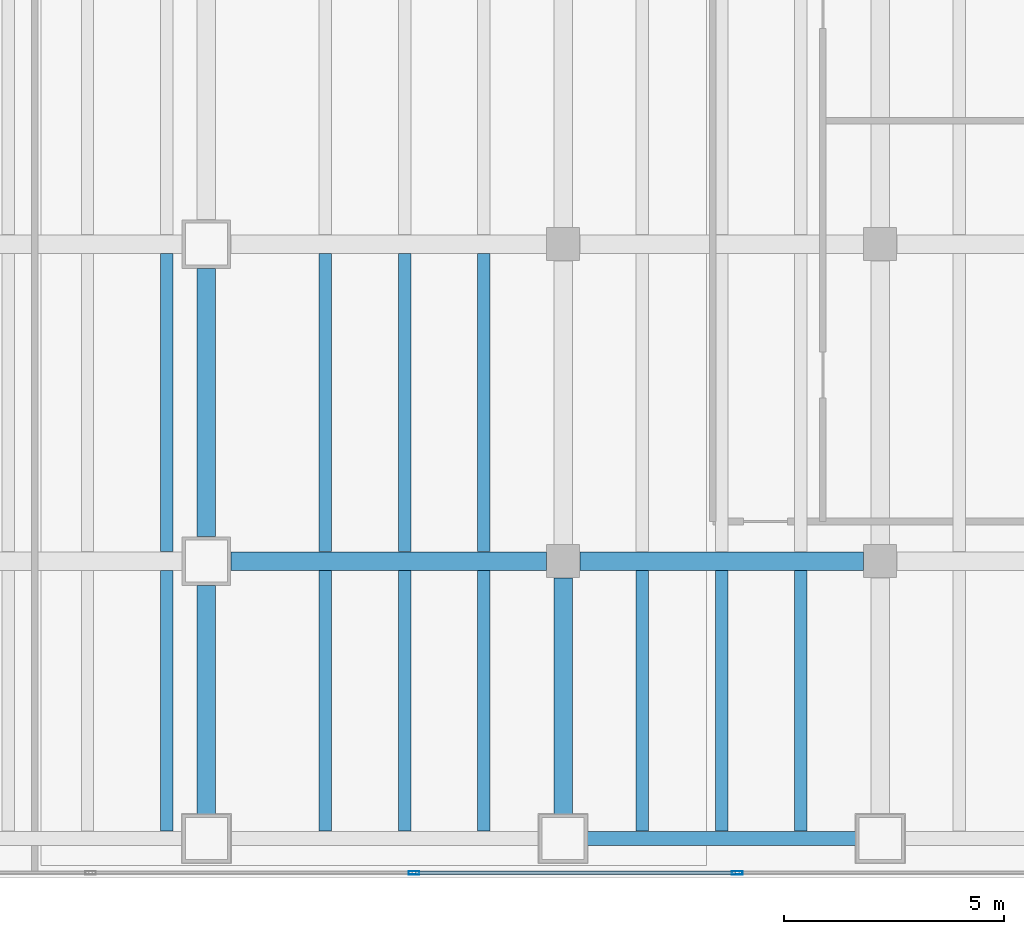
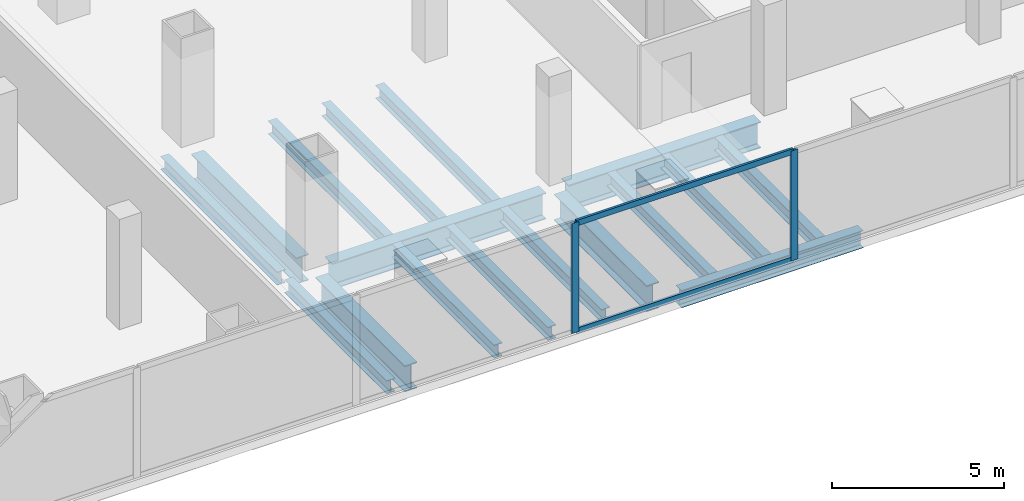
# One storey, part 7 of 32: 17 beams, 4 members, 1 element without a shape of its own.
"""IFC4 building model written with IfcOpenShell, lengths in metres."""

from ifc_helpers import new_model, si_unit, direction, frame, origin, origin_2d, place, context, subcontext, project, spatial, hollow_rectangle, i_section, extrude, material, material_profile, profile_set, type_object, element, aggregate, save


model = new_model("IFC4")

# Units and contexts
model_context = context("Model", 3, precision=1e-05, world=origin(), true_north=direction((0.0, 1.0)))
body_context = subcontext(model_context, "Body", "Model", "MODEL_VIEW")
ifc_project = project(units=[si_unit("LENGTHUNIT", "METRE"), si_unit("AREAUNIT", "SQUARE_METRE"), si_unit("VOLUMEUNIT", "CUBIC_METRE"), si_unit("PLANEANGLEUNIT", "RADIAN"), si_unit("MASSUNIT", "GRAM", prefix="KILO")], contexts=[model_context])

# Site, building, storey
site_placement = place(None, origin())
site = spatial("IfcSite", under=ifc_project, at=site_placement, CompositionType="ELEMENT")
building_placement = place(site_placement, origin())
building = spatial("IfcBuilding", under=site, at=building_placement, Name="Cobrela Telecom Tower", CompositionType="ELEMENT")
storey_placement = place(building_placement, frame((0.0, 0.0, 22.050048828125)))
storey = spatial("IfcBuildingStorey", under=building, at=storey_placement, Name="L05", CompositionType="ELEMENT", Elevation=22.050048828125)

# Beams
ifc_material_1 = material(Name="Steel ASTM A992 Grade 50", Category="steel")
ifc_material_profile_1 = material_profile(ifc_material_1, i_section(OverallWidth=0.4189453125, OverallDepth=0.927001953125, WebThickness=0.019287109375, FlangeThickness=0.031982421875, FilletRadius=0.02392578125, at=origin_2d()), Name="W36X231")
ifc_profile_set_1 = profile_set([ifc_material_profile_1], Name="Steel ASTM A992 Grade 50")
beam_type_1 = type_object("IfcBeamType", Name="BM-GIRD-02", PredefinedType="USERDEFINED", material=ifc_profile_set_1)
beam_1_placement = place(storey_placement, frame((50.054931640625, 7.199951171875, -0.753662109375), z_axis=(1.0, 0.0, 0.0), x_axis=(0.0, 1.0, 0.0)))
element("IfcBeam", 1, at=beam_1_placement, inside=storey, type_object=beam_type_1, Name="L05 Primary Girder X16", ObjectType="GIRDER", PredefinedType="USERDEFINED", context=body_context, shape_type="SweptSolid", body=[
    extrude(i_section(OverallWidth=0.4189453125, OverallDepth=0.927001953125, WebThickness=0.019287109375, FlangeThickness=0.031982421875, FilletRadius=0.02392578125, at=origin_2d()), origin(), (0.0, 0.0, 1.0), 7.1650390625),
])
beam_2_placement = place(storey_placement, frame((57.97998046875, 7.199951171875, -0.753662109375), z_axis=(1.0, 0.0, 0.0), x_axis=(0.0, 1.0, 0.0)))
element("IfcBeam", 2, at=beam_2_placement, inside=storey, type_object=beam_type_1, Name="L05 Primary Girder X17", ObjectType="GIRDER", PredefinedType="USERDEFINED", context=body_context, shape_type="SweptSolid", body=[
    extrude(i_section(OverallWidth=0.4189453125, OverallDepth=0.927001953125, WebThickness=0.019287109375, FlangeThickness=0.031982421875, FilletRadius=0.02392578125, at=origin_2d()), origin(), (0.0, 0.0, 1.0), 6.43994140625),
])
beam_3_placement = place(storey_placement, frame((49.5, 1.455078125, -0.753662109375), z_axis=(0.0, 1.0, 0.0), x_axis=(-1.0, 0.0, 0.0)))
element("IfcBeam", 3, at=beam_3_placement, inside=storey, type_object=beam_type_1, Name="L05 Primary Girder Y85", ObjectType="GIRDER", PredefinedType="USERDEFINED", context=body_context, shape_type="SweptSolid", body=[
    extrude(i_section(OverallWidth=0.4189453125, OverallDepth=0.927001953125, WebThickness=0.019287109375, FlangeThickness=0.031982421875, FilletRadius=0.02392578125, at=origin_2d()), origin(), (0.0, 0.0, 1.0), 5.18994140625),
])
beam_4_placement = place(storey_placement, frame((49.5, 7.7548828125, -0.753662109375), z_axis=(0.0, 1.0, 0.0), x_axis=(-1.0, 0.0, 0.0)))
element("IfcBeam", 4, at=beam_4_placement, inside=storey, type_object=beam_type_1, Name="L05 Primary Girder Y86", ObjectType="GIRDER", PredefinedType="USERDEFINED", context=body_context, shape_type="SweptSolid", body=[
    extrude(i_section(OverallWidth=0.4189453125, OverallDepth=0.927001953125, WebThickness=0.019287109375, FlangeThickness=0.031982421875, FilletRadius=0.02392578125, at=origin_2d()), origin(), (0.0, 0.0, 1.0), 6.090087890625),
])
beam_5_placement = place(storey_placement, frame((57.60009765625, 1.455078125, -0.753662109375), z_axis=(0.0, 1.0, 0.0), x_axis=(-1.0, 0.0, 0.0)))
element("IfcBeam", 5, at=beam_5_placement, inside=storey, type_object=beam_type_1, Name="L05 Primary Girder Y88", ObjectType="GIRDER", PredefinedType="USERDEFINED", context=body_context, shape_type="SweptSolid", body=[
    extrude(i_section(OverallWidth=0.4189453125, OverallDepth=0.927001953125, WebThickness=0.019287109375, FlangeThickness=0.031982421875, FilletRadius=0.02392578125, at=origin_2d()), origin(), (0.0, 0.0, 1.0), 5.364990234375),
])
ifc_material_profile_2 = material_profile(ifc_material_1, i_section(OverallWidth=0.281982421875, OverallDepth=0.467041015625, WebThickness=0.01220703125, FlangeThickness=0.01953125, FilletRadius=0.012939453125, at=origin_2d()), Name="W18X86")
ifc_profile_set_2 = profile_set([ifc_material_profile_2], Name="Steel ASTM A992 Grade 50")
beam_type_2 = type_object("IfcBeamType", Name="BM-JOIST-02", PredefinedType="JOIST", material=ifc_profile_set_2)
beam_6_placement = place(storey_placement, frame((48.60009765625, 1.0673828125, -0.5234375), z_axis=(0.0, 1.0, 0.0), x_axis=(-1.0, 0.0, 0.0)))
element("IfcBeam", 6, at=beam_6_placement, inside=storey, type_object=beam_type_2, Name="L05 Secondary Composite Floor Beam J97", PredefinedType="JOIST", context=body_context, shape_type="SweptSolid", body=[
    extrude(i_section(OverallWidth=0.281982421875, OverallDepth=0.467041015625, WebThickness=0.01220703125, FlangeThickness=0.01953125, FilletRadius=0.012939453125, at=origin_2d()), origin(), (0.0, 0.0, 1.0), 5.918212890625),
])
beam_7_placement = place(storey_placement, frame((48.60009765625, 7.41455078125, -0.5234375), z_axis=(0.0, 1.0, 0.0), x_axis=(-1.0, 0.0, 0.0)))
element("IfcBeam", 7, at=beam_7_placement, inside=storey, type_object=beam_type_2, Name="L05 Secondary Composite Floor Beam J98", PredefinedType="JOIST", context=body_context, shape_type="SweptSolid", body=[
    extrude(i_section(OverallWidth=0.281982421875, OverallDepth=0.467041015625, WebThickness=0.01220703125, FlangeThickness=0.01953125, FilletRadius=0.012939453125, at=origin_2d()), origin(), (0.0, 0.0, 1.0), 6.77099609375),
])
beam_8_placement = place(storey_placement, frame((52.199951171875, 1.0673828125, -0.5234375), z_axis=(0.0, 1.0, 0.0), x_axis=(-1.0, 0.0, 0.0)))
element("IfcBeam", 8, at=beam_8_placement, inside=storey, type_object=beam_type_2, Name="L05 Secondary Composite Floor Beam J100", PredefinedType="JOIST", context=body_context, shape_type="SweptSolid", body=[
    extrude(i_section(OverallWidth=0.281982421875, OverallDepth=0.467041015625, WebThickness=0.01220703125, FlangeThickness=0.01953125, FilletRadius=0.012939453125, at=origin_2d()), origin(), (0.0, 0.0, 1.0), 5.918212890625),
])
beam_9_placement = place(storey_placement, frame((52.199951171875, 7.41455078125, -0.5234375), z_axis=(0.0, 1.0, 0.0), x_axis=(-1.0, 0.0, 0.0)))
element("IfcBeam", 9, at=beam_9_placement, inside=storey, type_object=beam_type_2, Name="L05 Secondary Composite Floor Beam J101", PredefinedType="JOIST", context=body_context, shape_type="SweptSolid", body=[
    extrude(i_section(OverallWidth=0.281982421875, OverallDepth=0.467041015625, WebThickness=0.01220703125, FlangeThickness=0.01953125, FilletRadius=0.012939453125, at=origin_2d()), origin(), (0.0, 0.0, 1.0), 6.77099609375),
])
beam_10_placement = place(storey_placement, frame((54.0, 1.0673828125, -0.5234375), z_axis=(0.0, 1.0, 0.0), x_axis=(-1.0, 0.0, 0.0)))
element("IfcBeam", 10, at=beam_10_placement, inside=storey, type_object=beam_type_2, Name="L05 Secondary Composite Floor Beam J103", PredefinedType="JOIST", context=body_context, shape_type="SweptSolid", body=[
    extrude(i_section(OverallWidth=0.281982421875, OverallDepth=0.467041015625, WebThickness=0.01220703125, FlangeThickness=0.01953125, FilletRadius=0.012939453125, at=origin_2d()), origin(), (0.0, 0.0, 1.0), 5.918212890625),
])
beam_11_placement = place(storey_placement, frame((54.0, 7.41455078125, -0.5234375), z_axis=(0.0, 1.0, 0.0), x_axis=(-1.0, 0.0, 0.0)))
element("IfcBeam", 11, at=beam_11_placement, inside=storey, type_object=beam_type_2, Name="L05 Secondary Composite Floor Beam J104", PredefinedType="JOIST", context=body_context, shape_type="SweptSolid", body=[
    extrude(i_section(OverallWidth=0.281982421875, OverallDepth=0.467041015625, WebThickness=0.01220703125, FlangeThickness=0.01953125, FilletRadius=0.012939453125, at=origin_2d()), origin(), (0.0, 0.0, 1.0), 6.77099609375),
])
beam_12_placement = place(storey_placement, frame((55.800048828125, 1.0673828125, -0.5234375), z_axis=(0.0, 1.0, 0.0), x_axis=(-1.0, 0.0, 0.0)))
element("IfcBeam", 12, at=beam_12_placement, inside=storey, type_object=beam_type_2, Name="L05 Secondary Composite Floor Beam J106", PredefinedType="JOIST", context=body_context, shape_type="SweptSolid", body=[
    extrude(i_section(OverallWidth=0.281982421875, OverallDepth=0.467041015625, WebThickness=0.01220703125, FlangeThickness=0.01953125, FilletRadius=0.012939453125, at=origin_2d()), origin(), (0.0, 0.0, 1.0), 5.918212890625),
])
beam_13_placement = place(storey_placement, frame((55.800048828125, 7.41455078125, -0.5234375), z_axis=(0.0, 1.0, 0.0), x_axis=(-1.0, 0.0, 0.0)))
element("IfcBeam", 13, at=beam_13_placement, inside=storey, type_object=beam_type_2, Name="L05 Secondary Composite Floor Beam J107", PredefinedType="JOIST", context=body_context, shape_type="SweptSolid", body=[
    extrude(i_section(OverallWidth=0.281982421875, OverallDepth=0.467041015625, WebThickness=0.01220703125, FlangeThickness=0.01953125, FilletRadius=0.012939453125, at=origin_2d()), origin(), (0.0, 0.0, 1.0), 6.77099609375),
])
for number, where, z_axis, x_axis, name in (
    (14, (59.39990234375, 1.0673828125, -0.5234375), (0.0, 1.0, 0.0), (-1.0, 0.0, 0.0), "L05 Secondary Composite Floor Beam J109"),
    (15, (61.199951171875, 1.0673828125, -0.5234375), (0.0, 1.0, 0.0), (-1.0, 0.0, 0.0), "L05 Secondary Composite Floor Beam J112"),
    (16, (63.0, 1.0673828125, -0.5234375), (0.0, 1.0, 0.0), (-1.0, 0.0, 0.0), "L05 Secondary Composite Floor Beam J115"),
):
    element("IfcBeam", number, at=place(storey_placement, frame(where, z_axis=z_axis, x_axis=x_axis)), inside=storey, type_object=beam_type_2, Name=name, PredefinedType="JOIST", context=body_context, shape_type="SweptSolid", body=[
        extrude(i_section(OverallWidth=0.281982421875, OverallDepth=0.467041015625, WebThickness=0.01220703125, FlangeThickness=0.01953125, FilletRadius=0.012939453125, at=origin_2d()), origin(), (0.0, 0.0, 1.0), 5.918212890625),
    ])
ifc_material_profile_3 = material_profile(ifc_material_1, i_section(OverallWidth=0.324951171875, OverallDepth=0.612060546875, WebThickness=0.0126953125, FlangeThickness=0.01904296875, FilletRadius=0.014892578125, at=origin_2d()), Name="W24X104")
ifc_profile_set_3 = profile_set([ifc_material_profile_3], Name="Steel ASTM A992 Grade 50")
beam_type_3 = type_object("IfcBeamType", Name="BM-SPAND-02", PredefinedType="SPANDREL", material=ifc_profile_set_3)
beam_14_placement = place(storey_placement, frame((58.155029296875, 0.89990234375, -0.595947265625), z_axis=(1.0, 0.0, 0.0), x_axis=(0.0, 1.0, 0.0)))
element("IfcBeam", 17, at=beam_14_placement, inside=storey, type_object=beam_type_3, Name="L05 Perimeter Spandrel X07", PredefinedType="SPANDREL", context=body_context, shape_type="SweptSolid", body=[
    extrude(i_section(OverallWidth=0.324951171875, OverallDepth=0.612060546875, WebThickness=0.0126953125, FlangeThickness=0.01904296875, FilletRadius=0.014892578125, at=origin_2d()), origin(), (0.0, 0.0, 1.0), 6.090087890625),
])

# Curtain wall, members
ifc_material_2 = material(Name="Anodized Bronze Aluminium 6063-T6", Category="aluminium")
curtain_wall_type = type_object("IfcCurtainWallType", Name="CW-SYS-CONC", PredefinedType="USERDEFINED", material=ifc_material_2)
curtain_wall_placement = place(storey_placement, origin())
curtain_wall = element("IfcCurtainWall", 18, at=curtain_wall_placement, inside=storey, type_object=curtain_wall_type, Name="L05 Unitised Bronze Curtain Wall 17", ObjectType="UNITISED CURTAIN WALL", PredefinedType="USERDEFINED")
ifc_material_profile_4 = material_profile(ifc_material_2, hollow_rectangle(XDim=0.080078125, YDim=0.239990234375, WallThickness=0.0048828125, at=origin_2d()), Name="ALU 80x240x5")
ifc_profile_set_4 = profile_set([ifc_material_profile_4], Name="Anodized Bronze Aluminium 6063-T6")
member_type_1 = type_object("IfcMemberType", Name="CW-SYS-CONC-MUL", PredefinedType="MULLION", material=ifc_profile_set_4)
member_1_placement = place(storey_placement, frame((61.554443359375, 0.1201171875, 0.0), z_axis=(0.0, 0.0, 1.0), x_axis=(0.0, -1.0, 0.0)))
member_1 = element("IfcMember", 19, at=member_1_placement, type_object=member_type_1, Name="CW-CONC mullion 4", PredefinedType="MULLION", context=body_context, shape_type="SweptSolid", body=[
    extrude(hollow_rectangle(XDim=0.080078125, YDim=0.239990234375, WallThickness=0.0048828125, at=origin_2d()), origin(), (0.0, 0.0, 1.0), 3.89990234375),
])
member_2_placement = place(storey_placement, frame((54.212646484375, 0.1201171875, 0.0), z_axis=(0.0, 0.0, 1.0), x_axis=(0.0, -1.0, 0.0)))
member_2 = element("IfcMember", 20, at=member_2_placement, type_object=member_type_1, Name="CW-CONC mullion 5", PredefinedType="MULLION", context=body_context, shape_type="SweptSolid", body=[
    extrude(hollow_rectangle(XDim=0.080078125, YDim=0.239990234375, WallThickness=0.0048828125, at=origin_2d()), origin(), (0.0, 0.0, 1.0), 3.89990234375),
])
ifc_material_profile_5 = material_profile(ifc_material_2, hollow_rectangle(XDim=0.080078125, YDim=0.199951171875, WallThickness=0.00390625, at=origin_2d()), Name="ALU 80x200x4")
ifc_profile_set_5 = profile_set([ifc_material_profile_5], Name="Anodized Bronze Aluminium 6063-T6")
member_type_2 = type_object("IfcMemberType", Name="CW-SYS-CONC-TRN", PredefinedType="USERDEFINED", material=ifc_profile_set_5)
member_3_placement = place(storey_placement, frame((61.5146484375, 0.1201171875, 0.0400390625), z_axis=(-1.0, 0.0, 0.0), x_axis=(0.0, -1.0, 0.0)))
member_3 = element("IfcMember", 21, at=member_3_placement, type_object=member_type_2, Name="CW-CONC transom 4.1", ObjectType="TRANSOM", PredefinedType="USERDEFINED", context=body_context, shape_type="SweptSolid", body=[
    extrude(hollow_rectangle(XDim=0.080078125, YDim=0.199951171875, WallThickness=0.00390625, at=origin_2d()), origin(), (0.0, 0.0, 1.0), 7.261962890625),
])
member_4_placement = place(storey_placement, frame((61.5146484375, 0.1201171875, 3.85986328125), z_axis=(-1.0, 0.0, 0.0), x_axis=(0.0, -1.0, 0.0)))
member_4 = element("IfcMember", 22, at=member_4_placement, type_object=member_type_2, Name="CW-CONC transom 4.2", ObjectType="TRANSOM", PredefinedType="USERDEFINED", context=body_context, shape_type="SweptSolid", body=[
    extrude(hollow_rectangle(XDim=0.080078125, YDim=0.199951171875, WallThickness=0.00390625, at=origin_2d()), origin(), (0.0, 0.0, 1.0), 7.261962890625),
])
aggregate(curtain_wall, [member_1, member_2, member_3, member_4])

save(model, "model.ifc")
